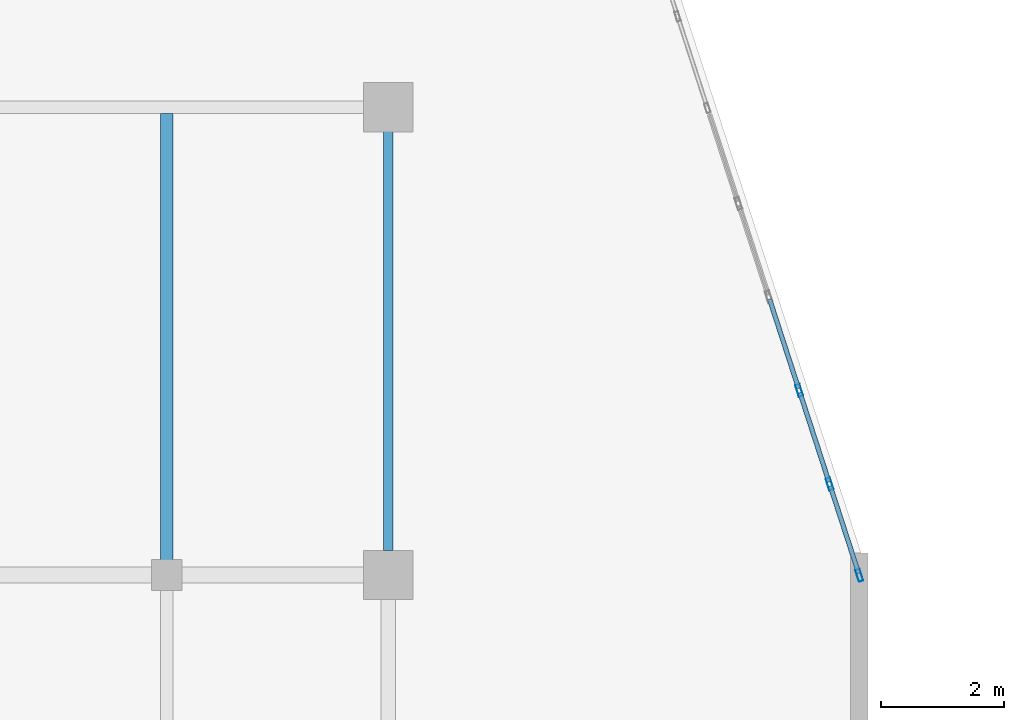
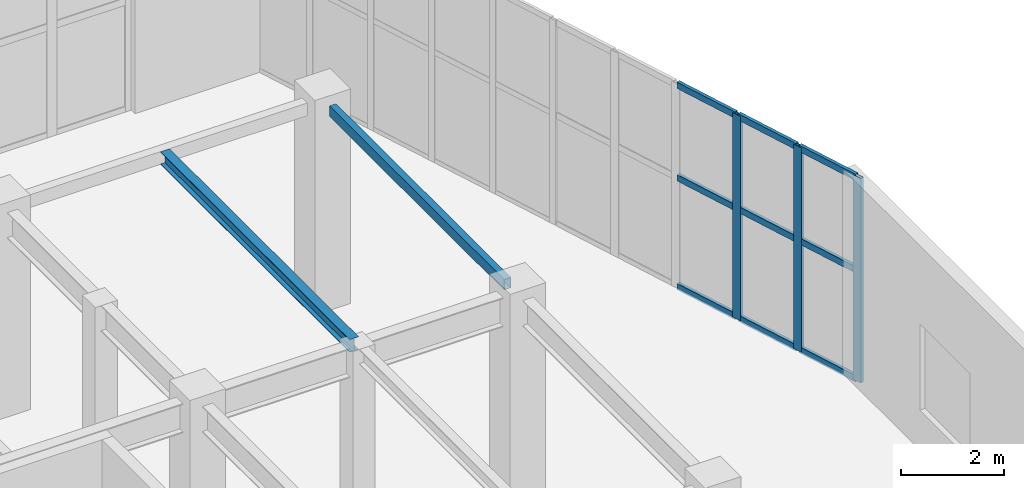
# One storey, part 48 of 128: 12 members, 2 beams, 1 element without a shape of its own.
"""IFC4 building model written with IfcOpenShell, lengths in metres."""

from ifc_helpers import new_model, si_unit, direction, frame, origin, origin_2d, place, context, subcontext, project, spatial, hollow_rectangle, i_section, extrude, material, layer, layer_set, material_profile, profile_set, type_object, element, aggregate, save


model = new_model("IFC4")

# Units and contexts
model_context = context("Model", 3, precision=1e-05, world=origin(), true_north=direction((0.0, 1.0)))
body_context = subcontext(model_context, "Body", "Model", "MODEL_VIEW")
ifc_project = project(units=[si_unit("LENGTHUNIT", "METRE"), si_unit("AREAUNIT", "SQUARE_METRE"), si_unit("VOLUMEUNIT", "CUBIC_METRE"), si_unit("PLANEANGLEUNIT", "RADIAN"), si_unit("MASSUNIT", "GRAM", prefix="KILO")], contexts=[model_context])

# Site, building, storey
site_placement = place(None, origin())
site = spatial("IfcSite", under=ifc_project, at=site_placement, CompositionType="ELEMENT")
building_placement = place(site_placement, origin())
building = spatial("IfcBuilding", under=site, at=building_placement, Name="Xicomal Pleat Aquarium", CompositionType="ELEMENT")
storey_placement = place(building_placement, frame((0.0, 0.0, 5.39990234375)))
storey = spatial("IfcBuildingStorey", under=building, at=storey_placement, Name="L02", CompositionType="ELEMENT", Elevation=5.39990234375)

# Beams
ifc_material_1 = material(Name="Structural steel A992 Gr 50", Category="steel")
ifc_material_profile_1 = material_profile(ifc_material_1, i_section(OverallWidth=0.202880859375, OverallDepth=0.302978515625, WebThickness=0.007568359375, FlangeThickness=0.01318359375, at=origin_2d()), Name="IR 310x60")
ifc_profile_set_1 = profile_set([ifc_material_profile_1], Name="Structural steel A992 Gr 50")
beam_type_1 = type_object("IfcBeamType", Name="BM-STL-IR310", PredefinedType="JOIST", material=ifc_profile_set_1)
beam_1_placement = place(storey_placement, frame((114.60009765625, 60.930908203125, 4.70849609375), z_axis=(0.0, 1.0, 0.0), x_axis=(-1.0, 0.0, 0.0)))
element("IfcBeam", 1, at=beam_1_placement, inside=storey, type_object=beam_type_1, Name="L02 framing beam FBJ-L02-14-J-1", PredefinedType="JOIST", context=body_context, shape_type="SweptSolid", body=[
    extrude(i_section(OverallWidth=0.202880859375, OverallDepth=0.302978515625, WebThickness=0.007568359375, FlangeThickness=0.01318359375, at=origin_2d()), origin(), (0.0, 0.0, 1.0), 7.3662109375),
])
ifc_material_2 = material(Name="Structural steel A500 Gr C", Category="steel")
ifc_material_profile_2 = material_profile(ifc_material_2, hollow_rectangle(XDim=0.14990234375, YDim=0.25, WallThickness=0.010009765625, at=origin_2d()), Name="OR 250x150x10")
ifc_profile_set_2 = profile_set([ifc_material_profile_2], Name="Structural steel A500 Gr C")
beam_type_2 = type_object("IfcBeamType", Name="BM-STL-OR250", PredefinedType="SPANDREL", material=ifc_profile_set_2)
beam_2_placement = place(storey_placement, frame((118.199951171875, 61.195068359375, 4.735107421875), z_axis=(0.0, 1.0, 0.0), x_axis=(-1.0, 0.0, 0.0)))
element("IfcBeam", 2, at=beam_2_placement, inside=storey, type_object=beam_type_2, Name="L02 framing beam FGY-L02-15-J-K", PredefinedType="SPANDREL", context=body_context, shape_type="SweptSolid", body=[
    extrude(hollow_rectangle(XDim=0.14990234375, YDim=0.25, WallThickness=0.010009765625, at=origin_2d()), origin(), (0.0, 0.0, 1.0), 6.809814453125),
])

# Curtain wall, members
ifc_material_3 = material(Name="Bronze anodized aluminium 6063-T6", Category="aluminium")
ifc_layer = layer(ifc_material_3, 0.159912109375)
ifc_layer_set = layer_set([ifc_layer], Name="Bronze anodized aluminium 6063-T6")
curtain_wall_type = type_object("IfcCurtainWallType", Name="CW-SYS-07", PredefinedType="NOTDEFINED", material=ifc_layer_set)
curtain_wall_placement = place(storey_placement, origin())
curtain_wall = element("IfcCurtainWall", 3, at=curtain_wall_placement, inside=storey, type_object=curtain_wall_type, Name="L02 unitised curtain wall CW-L02-112", PredefinedType="NOTDEFINED")
ifc_material_4 = material(Name="Bronze anodized aluminium 6063-T6", Category="aluminium")
ifc_material_profile_3 = material_profile(ifc_material_4, hollow_rectangle(XDim=0.074951171875, YDim=0.199951171875, WallThickness=0.00439453125, at=origin_2d()), Name="ALU MULL 75x200")
ifc_profile_set_3 = profile_set([ifc_material_profile_3], Name="Bronze anodized aluminium 6063-T6")
member_type_1 = type_object("IfcMemberType", Name="CWM-75x200", PredefinedType="MULLION", material=ifc_profile_set_3)
member_1_placement = place(storey_placement, frame((124.87890625, 63.797119140625, 0.0), z_axis=(0.0, 0.0, 1.0), x_axis=(0.95103406873, 0.309086072339, 0.0)))
member_1 = element("IfcMember", 4, at=member_1_placement, type_object=member_type_1, Name="CW-07 mullion 4", PredefinedType="MULLION", context=body_context, shape_type="SweptSolid", body=[
    extrude(hollow_rectangle(XDim=0.074951171875, YDim=0.199951171875, WallThickness=0.00439453125, at=origin_2d()), origin(), (0.0, 0.0, 1.0), 4.860107421875),
])
member_2_placement = place(storey_placement, frame((125.373046875, 62.277099609375, 0.0), z_axis=(0.0, 0.0, 1.0), x_axis=(0.95103406873, 0.309086072339, 0.0)))
member_2 = element("IfcMember", 5, at=member_2_placement, type_object=member_type_1, Name="CW-07 mullion 5", PredefinedType="MULLION", context=body_context, shape_type="SweptSolid", body=[
    extrude(hollow_rectangle(XDim=0.074951171875, YDim=0.199951171875, WallThickness=0.00439453125, at=origin_2d()), origin(), (0.0, 0.0, 1.0), 4.860107421875),
])
member_3_placement = place(storey_placement, frame((125.85546875, 60.792724609375, 0.0), z_axis=(0.0, 0.0, 1.0), x_axis=(0.95103406873, 0.309086072339, 0.0)))
member_3 = element("IfcMember", 6, at=member_3_placement, type_object=member_type_1, Name="CW-07 mullion 6", PredefinedType="MULLION", context=body_context, shape_type="SweptSolid", body=[
    extrude(hollow_rectangle(XDim=0.074951171875, YDim=0.199951171875, WallThickness=0.00439453125, at=origin_2d()), origin(), (0.0, 0.0, 1.0), 4.860107421875),
])
ifc_material_5 = material(Name="Bronze anodized aluminium 6063-T6", Category="aluminium")
ifc_material_profile_4 = material_profile(ifc_material_5, hollow_rectangle(XDim=0.074951171875, YDim=0.14990234375, WallThickness=0.00439453125, at=origin_2d()), Name="ALU TRAN 75x150")
ifc_profile_set_4 = profile_set([ifc_material_profile_4], Name="Bronze anodized aluminium 6063-T6")
member_type_2 = type_object("IfcMemberType", Name="CWT-75x150", PredefinedType="USERDEFINED", material=ifc_profile_set_4)
member_4_placement = place(storey_placement, frame((124.396484375, 65.28125, 0.03759765625), z_axis=(0.309198426861, -0.950997546173, 0.0), x_axis=(0.950997546173, 0.309198426861, 0.0)))
member_4 = element("IfcMember", 7, at=member_4_placement, type_object=member_type_2, Name="CW-07 transom 3.1", ObjectType="TRANSOM", PredefinedType="USERDEFINED", context=body_context, shape_type="SweptSolid", body=[
    extrude(hollow_rectangle(XDim=0.074951171875, YDim=0.14990234375, WallThickness=0.00439453125, at=origin_2d()), origin(), (0.0, 0.0, 1.0), 1.523193359375),
])
member_5_placement = place(storey_placement, frame((124.396484375, 65.28125, 2.6240234375), z_axis=(0.309198426861, -0.950997546173, 0.0), x_axis=(0.950997546173, 0.309198426861, 0.0)))
member_5 = element("IfcMember", 8, at=member_5_placement, type_object=member_type_2, Name="CW-07 transom 3.2", ObjectType="TRANSOM", PredefinedType="USERDEFINED", context=body_context, shape_type="SweptSolid", body=[
    extrude(hollow_rectangle(XDim=0.074951171875, YDim=0.14990234375, WallThickness=0.00439453125, at=origin_2d()), origin(), (0.0, 0.0, 1.0), 1.523193359375),
])
member_6_placement = place(storey_placement, frame((124.396484375, 65.28125, 4.822509765625), z_axis=(0.309198426861, -0.950997546173, 0.0), x_axis=(0.950997546173, 0.309198426861, 0.0)))
member_6 = element("IfcMember", 9, at=member_6_placement, type_object=member_type_2, Name="CW-07 transom 3.3", ObjectType="TRANSOM", PredefinedType="USERDEFINED", context=body_context, shape_type="SweptSolid", body=[
    extrude(hollow_rectangle(XDim=0.074951171875, YDim=0.14990234375, WallThickness=0.00439453125, at=origin_2d()), origin(), (0.0, 0.0, 1.0), 1.523193359375),
])
member_7_placement = place(storey_placement, frame((124.890625, 63.76123046875, 0.03759765625), z_axis=(0.309053450858, -0.951044670093, 0.0), x_axis=(0.951044670093, 0.309053450858, 0.0)))
member_7 = element("IfcMember", 10, at=member_7_placement, type_object=member_type_2, Name="CW-07 transom 4.1", ObjectType="TRANSOM", PredefinedType="USERDEFINED", context=body_context, shape_type="SweptSolid", body=[
    extrude(hollow_rectangle(XDim=0.074951171875, YDim=0.14990234375, WallThickness=0.00439453125, at=origin_2d()), origin(), (0.0, 0.0, 1.0), 1.52294921875),
])
member_8_placement = place(storey_placement, frame((124.890625, 63.76123046875, 2.6240234375), z_axis=(0.309053450858, -0.951044670093, 0.0), x_axis=(0.951044670093, 0.309053450858, 0.0)))
member_8 = element("IfcMember", 11, at=member_8_placement, type_object=member_type_2, Name="CW-07 transom 4.2", ObjectType="TRANSOM", PredefinedType="USERDEFINED", context=body_context, shape_type="SweptSolid", body=[
    extrude(hollow_rectangle(XDim=0.074951171875, YDim=0.14990234375, WallThickness=0.00439453125, at=origin_2d()), origin(), (0.0, 0.0, 1.0), 1.52294921875),
])
member_9_placement = place(storey_placement, frame((124.890625, 63.76123046875, 4.822509765625), z_axis=(0.309053450858, -0.951044670093, 0.0), x_axis=(0.951044670093, 0.309053450858, 0.0)))
member_9 = element("IfcMember", 12, at=member_9_placement, type_object=member_type_2, Name="CW-07 transom 4.3", ObjectType="TRANSOM", PredefinedType="USERDEFINED", context=body_context, shape_type="SweptSolid", body=[
    extrude(hollow_rectangle(XDim=0.074951171875, YDim=0.14990234375, WallThickness=0.00439453125, at=origin_2d()), origin(), (0.0, 0.0, 1.0), 1.52294921875),
])
member_10_placement = place(storey_placement, frame((125.384521484375, 62.2412109375, 0.03759765625), z_axis=(0.309119515691, -0.951023198991, 0.0), x_axis=(0.951023198991, 0.309119515691, 0.0)))
member_10 = element("IfcMember", 13, at=member_10_placement, type_object=member_type_2, Name="CW-07 transom 5.1", ObjectType="TRANSOM", PredefinedType="USERDEFINED", context=body_context, shape_type="SweptSolid", body=[
    extrude(hollow_rectangle(XDim=0.074951171875, YDim=0.14990234375, WallThickness=0.00439453125, at=origin_2d()), origin(), (0.0, 0.0, 1.0), 1.485595703125),
])
member_11_placement = place(storey_placement, frame((125.384521484375, 62.2412109375, 2.6240234375), z_axis=(0.309119515691, -0.951023198991, 0.0), x_axis=(0.951023198991, 0.309119515691, 0.0)))
member_11 = element("IfcMember", 14, at=member_11_placement, type_object=member_type_2, Name="CW-07 transom 5.2", ObjectType="TRANSOM", PredefinedType="USERDEFINED", context=body_context, shape_type="SweptSolid", body=[
    extrude(hollow_rectangle(XDim=0.074951171875, YDim=0.14990234375, WallThickness=0.00439453125, at=origin_2d()), origin(), (0.0, 0.0, 1.0), 1.485595703125),
])
member_12_placement = place(storey_placement, frame((125.384521484375, 62.2412109375, 4.822509765625), z_axis=(0.309119515691, -0.951023198991, 0.0), x_axis=(0.951023198991, 0.309119515691, 0.0)))
member_12 = element("IfcMember", 15, at=member_12_placement, type_object=member_type_2, Name="CW-07 transom 5.3", ObjectType="TRANSOM", PredefinedType="USERDEFINED", context=body_context, shape_type="SweptSolid", body=[
    extrude(hollow_rectangle(XDim=0.074951171875, YDim=0.14990234375, WallThickness=0.00439453125, at=origin_2d()), origin(), (0.0, 0.0, 1.0), 1.485595703125),
])
aggregate(curtain_wall, [member_1, member_2, member_3, member_4, member_5, member_6, member_7, member_8, member_9, member_10, member_11, member_12])

save(model, "model.ifc")
